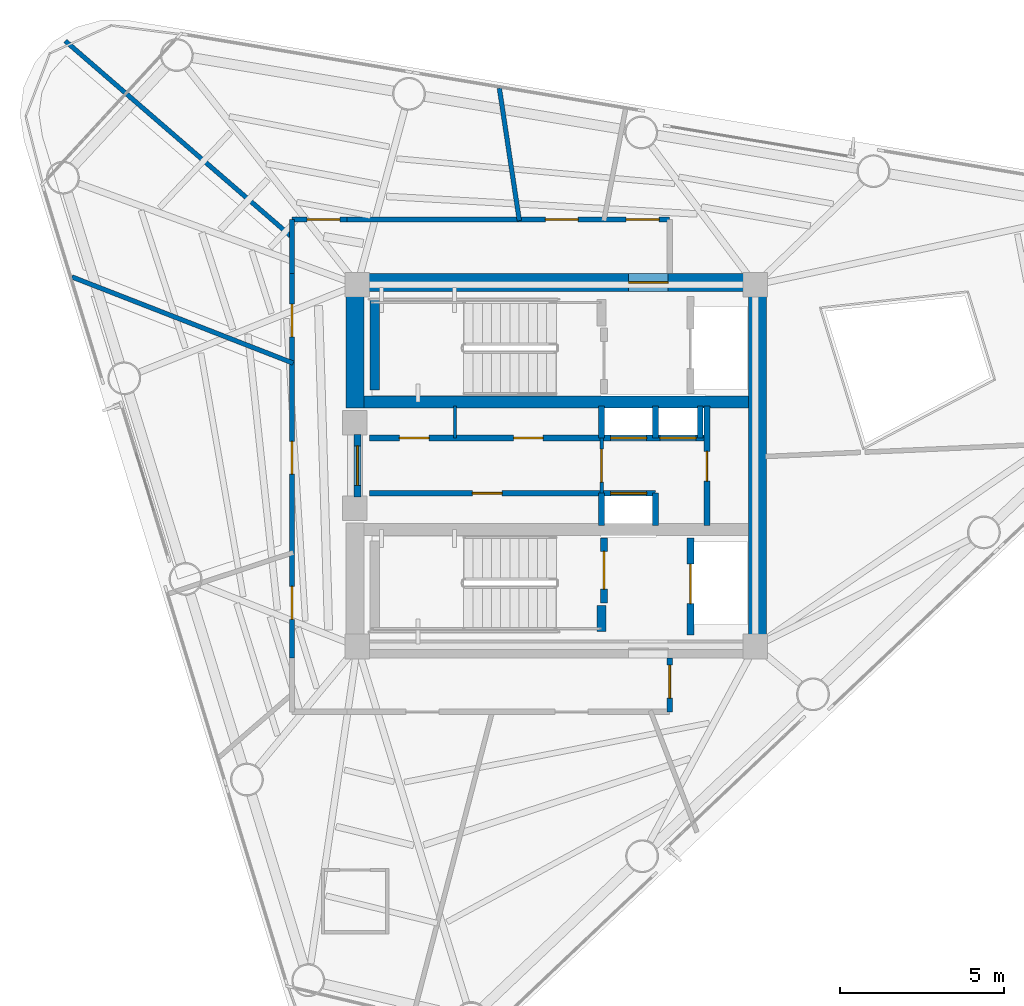
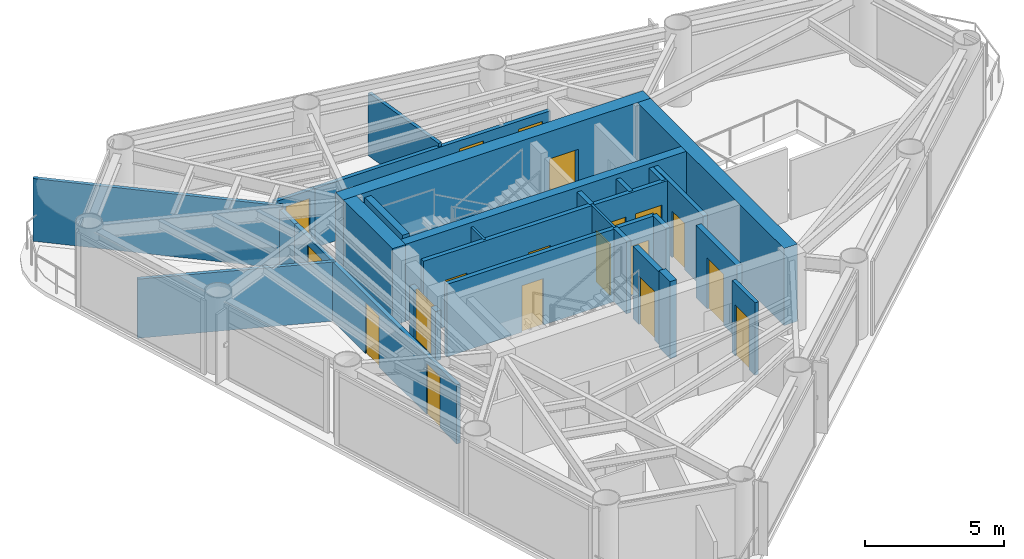
# One storey, part 5 of 8: 27 walls, 19 doors, 19 openings.
"""IFC4 building model written with IfcOpenShell, lengths in metres."""

from ifc_helpers import new_model, si_unit, direction, frame, frame_2d, origin, place, context, subcontext, project, spatial, rectangle, extrude, material, layer, layer_set, type_object, element, fill, save


model = new_model("IFC4")

# Units and contexts
model_context = context("Model", 3, precision=1e-05, world=origin(), true_north=direction((0.0, 1.0)))
body_context = subcontext(model_context, "Body", "Model", "MODEL_VIEW")
ifc_project = project(units=[si_unit("LENGTHUNIT", "METRE"), si_unit("AREAUNIT", "SQUARE_METRE"), si_unit("VOLUMEUNIT", "CUBIC_METRE"), si_unit("PLANEANGLEUNIT", "RADIAN"), si_unit("MASSUNIT", "GRAM", prefix="KILO")], contexts=[model_context])

# Site, building, storey
site_placement = place(None, origin())
site = spatial("IfcSite", under=ifc_project, at=site_placement, CompositionType="ELEMENT")
building_placement = place(site_placement, origin())
building = spatial("IfcBuilding", under=site, at=building_placement, Name="Yunling Apex Tower", CompositionType="ELEMENT")
storey_placement = place(building_placement, frame((0.0, 0.0, 238.85009765625)))
storey = spatial("IfcBuildingStorey", under=building, at=storey_placement, Name="L58", CompositionType="ELEMENT", Elevation=238.85009765625)

# Wall, opening, door
ifc_material_1 = material(Name="Concrete C40", Category="concrete")
ifc_layer_1 = layer(ifc_material_1, 0.550048828125)
ifc_layer_set_1 = layer_set([ifc_layer_1], Name="Concrete C40")
wall_type_1 = type_object("IfcWallType", Name="WL-COR-3", PredefinedType="SHEAR", material=ifc_layer_set_1)
wall_1_placement = place(storey_placement, frame((-6.39990234375, 5.574951171875, 0.0), z_axis=(0.0, 0.0, 1.0), x_axis=(1.0, 0.0, 0.0)))
wall_1 = element("IfcWall", 1, at=wall_1_placement, inside=storey, type_object=wall_type_1, Name="L58 North Core Shear Wall", PredefinedType="SHEAR", context=body_context, shape_type="SweptSolid", body=[
    extrude(rectangle(XDim=12.7998046875, YDim=0.550048828125, at=frame_2d((6.39990234375, 0.0))), origin(), (0.0, 0.0, 1.0), 3.39990234375),
])
opening_1_placement = place(wall_1_placement, frame((8.60009765625, 0.0, 0.0)))
opening_1 = element("IfcOpeningElement", 2, at=opening_1_placement, cuts=wall_1, Name="Opening DR-FFL-1", PredefinedType="OPENING", context=body_context, shape_type="SweptSolid", body=[
    extrude(rectangle(XDim=1.199951171875, YDim=2.199951171875, at=frame_2d((0.60009765625, 1.10009765625))), frame((0.0, 0.28515625, 0.0), z_axis=(0.0, -1.0, 0.0), x_axis=(1.0, 0.0, 0.0)), (0.0, 0.0, 1.0), 0.570068359375),
])
ifc_material_2 = material(Name="Steel Q355B", Category="steel")
door_type_1 = type_object("IfcDoorType", Name="DR-FFL-1", OperationType="NOTDEFINED", PredefinedType="DOOR", material=ifc_material_2)
door_1_placement = place(opening_1_placement, origin())
door_1 = element("IfcDoor", 3, at=door_1_placement, inside=storey, type_object=door_type_1, Name="L58 North Firefighting Lobby Door", OperationType="SINGLE_SWING_LEFT", OverallHeight=2.199951171875, OverallWidth=1.199951171875, PredefinedType="DOOR", context=body_context, shape_type="SweptSolid", body=[
    extrude(rectangle(XDim=1.199951171875, YDim=2.199951171875, at=frame_2d((0.60009765625, 1.10009765625))), frame((0.0, 0.02490234375, 0.0), z_axis=(0.0, -1.0, 0.0), x_axis=(1.0, 0.0, 0.0)), (0.0, 0.0, 1.0), 0.050048828125),
])
fill(opening_1, door_1)

# Walls
wall_2_placement = place(storey_placement, frame((6.125, -5.300048828125, 0.0), z_axis=(0.0, 0.0, 1.0), x_axis=(0.0, 1.0, 0.0)))
element("IfcWall", 4, at=wall_2_placement, inside=storey, type_object=wall_type_1, Name="L58 East Core Shear Wall", PredefinedType="SHEAR", context=body_context, shape_type="SweptSolid", body=[
    extrude(rectangle(XDim=10.60009765625, YDim=0.550048828125, at=frame_2d((5.300048828125, 0.0))), origin(), (0.0, 0.0, 1.0), 3.39990234375),
])
wall_3_placement = place(storey_placement, frame((-6.125, 1.75, 0.0), z_axis=(0.0, 0.0, 1.0), x_axis=(0.0, 1.0, 0.0)))
element("IfcWall", 5, at=wall_3_placement, inside=storey, type_object=wall_type_1, Name="L58 West-North Core Shear Wall", PredefinedType="SHEAR", context=body_context, shape_type="SweptSolid", body=[
    extrude(rectangle(XDim=3.550048828125, YDim=0.550048828125, at=frame_2d((1.77490234375, 0.0))), origin(), (0.0, 0.0, 1.0), 3.39990234375),
])
ifc_layer_2 = layer(ifc_material_1, 0.360107421875)
ifc_layer_set_2 = layer_set([ifc_layer_2], Name="Concrete C40")
wall_type_2 = type_object("IfcWallType", Name="WL-COR-4", PredefinedType="SHEAR", material=ifc_layer_set_2)
wall_4_placement = place(storey_placement, frame((-5.85009765625, 1.93994140625, 0.0), z_axis=(0.0, 0.0, 1.0), x_axis=(1.0, 0.0, 0.0)))
element("IfcWall", 6, at=wall_4_placement, inside=storey, type_object=wall_type_2, Name="L58 North Internal Core Shear Wall", PredefinedType="SHEAR", context=body_context, shape_type="SweptSolid", body=[
    extrude(rectangle(XDim=11.7001953125, YDim=0.360107421875, at=frame_2d((5.85009765625, 0.0))), origin(), (0.0, 0.0, 1.0), 3.39990234375),
])
ifc_layer_3 = layer(ifc_material_1, 0.280029296875)
ifc_layer_set_3 = layer_set([ifc_layer_3], Name="Concrete C40")
wall_type_3 = type_object("IfcWallType", Name="WL-COR-8", PredefinedType="SHEAR", material=ifc_layer_set_3)
wall_5_placement = place(storey_placement, frame((-5.52001953125, 2.300048828125, 0.0), z_axis=(0.0, 0.0, 1.0), x_axis=(0.0, 1.0, 0.0)))
element("IfcWall", 7, at=wall_5_placement, inside=storey, type_object=wall_type_3, Name="L58 ST-1 West Landing Bearing Wall", PredefinedType="SHEAR", context=body_context, shape_type="SweptSolid", body=[
    extrude(rectangle(XDim=2.75, YDim=0.280029296875, at=frame_2d((1.375, 0.0))), origin(), (0.0, 0.0, 1.0), 3.39990234375),
])
wall_6_placement = place(storey_placement, frame((1.3798828125, -5.050048828125, 0.0), z_axis=(0.0, 0.0, 1.0), x_axis=(0.0, 1.0, 0.0)))
element("IfcWall", 8, at=wall_6_placement, inside=storey, type_object=wall_type_3, Name="L58 ST-2 East Landing Bearing Pier", PredefinedType="SHEAR", context=body_context, shape_type="SweptSolid", body=[
    extrude(rectangle(XDim=0.800048828125, YDim=0.280029296875, at=frame_2d((0.39990234375, 0.0))), origin(), (0.0, 0.0, 1.0), 3.39990234375),
])
ifc_material_3 = material(Name="Gypsum board acoustic partition")
ifc_layer_4 = layer(ifc_material_3, 0.159912109375)
ifc_layer_set_4 = layer_set([ifc_layer_4], Name="Gypsum board acoustic partition")
wall_type_4 = type_object("IfcWallType", Name="WL-PRT-1", PredefinedType="PARTITIONING", material=ifc_layer_set_4)
wall_7_placement = place(storey_placement, frame((-8.0400390625, 5.85009765625, 0.0), z_axis=(0.0, 0.0, 1.0), x_axis=(0.0, 1.0, 0.0)))
element("IfcWall", 9, at=wall_7_placement, inside=storey, type_object=wall_type_4, Name="WL-CORR-L58-01", PredefinedType="PARTITIONING", context=body_context, shape_type="SweptSolid", body=[
    extrude(rectangle(XDim=1.639892578125, YDim=0.159912109375, at=frame_2d((0.81982421875, 0.0))), origin(), (0.0, 0.0, 1.0), 2.60498046875),
])

# Wall, opening, door
wall_8_placement = place(storey_placement, frame((-8.0400390625, 7.489990234375, 0.0), z_axis=(0.0, 0.0, 1.0), x_axis=(1.0, 0.0, 0.0)))
wall_8 = element("IfcWall", 10, at=wall_8_placement, inside=storey, type_object=wall_type_4, Name="WL-CORR-L58-02", PredefinedType="PARTITIONING", context=body_context, shape_type="SweptSolid", body=[
    extrude(rectangle(XDim=1.679931640625, YDim=0.159912109375, at=frame_2d((0.83984375, 0.0))), origin(), (0.0, 0.0, 1.0), 2.60498046875),
])
opening_2_placement = place(wall_8_placement, frame((0.4599609375, 0.0, 0.0)))
opening_2 = element("IfcOpeningElement", 11, at=opening_2_placement, cuts=wall_8, Name="Opening DR-OFF-1", PredefinedType="OPENING", context=body_context, shape_type="SweptSolid", body=[
    extrude(rectangle(XDim=1.0, YDim=2.25, at=frame_2d((0.5, 1.125))), frame((0.0, 0.08984375, 0.0), z_axis=(0.0, -1.0, 0.0), x_axis=(1.0, 0.0, 0.0)), (0.0, 0.0, 1.0), 0.179931640625),
])
ifc_material_4 = material(Name="Bronze anodised aluminium", Category="aluminium")
door_type_2 = type_object("IfcDoorType", Name="DR-OFF-1", OperationType="NOTDEFINED", PredefinedType="DOOR", material=ifc_material_4)
door_2_placement = place(opening_2_placement, origin())
door_2 = element("IfcDoor", 12, at=door_2_placement, inside=storey, type_object=door_type_2, Name="L58 Private Dining Kitchen Door", OperationType="SINGLE_SWING_LEFT", OverallHeight=2.25, OverallWidth=1.0, PredefinedType="DOOR", context=body_context, shape_type="SweptSolid", body=[
    extrude(rectangle(XDim=1.0, YDim=2.25, at=frame_2d((0.5, 1.125))), frame((0.0, 0.02490234375, 0.0), z_axis=(0.0, -1.0, 0.0), x_axis=(1.0, 0.0, 0.0)), (0.0, 0.0, 1.0), 0.050048828125),
])
fill(opening_2, door_2)

# Wall, openings, doors
wall_9_placement = place(storey_placement, frame((-6.360107421875, 7.489990234375, 0.0), z_axis=(0.0, 0.0, 1.0), x_axis=(1.0, 0.0, 0.0)))
wall_9 = element("IfcWall", 13, at=wall_9_placement, inside=storey, type_object=wall_type_4, Name="WL-CORR-L58-03", PredefinedType="PARTITIONING", context=body_context, shape_type="SweptSolid", body=[
    extrude(rectangle(XDim=9.81005859375, YDim=0.159912109375, at=frame_2d((4.905029296875, 0.0))), origin(), (0.0, 0.0, 1.0), 2.60498046875),
])
opening_3_placement = place(wall_9_placement, frame((6.025146484375, 0.0, 0.0)))
opening_3 = element("IfcOpeningElement", 14, at=opening_3_placement, cuts=wall_9, Name="Opening DR-OFF-1", PredefinedType="OPENING", context=body_context, shape_type="SweptSolid", body=[
    extrude(rectangle(XDim=1.0, YDim=2.25, at=frame_2d((0.5, 1.125))), frame((0.0, 0.08984375, 0.0), z_axis=(0.0, -1.0, 0.0), x_axis=(1.0, 0.0, 0.0)), (0.0, 0.0, 1.0), 0.179931640625),
])
opening_4_placement = place(wall_9_placement, frame((8.4873046875, 0.0, 0.0)))
opening_4 = element("IfcOpeningElement", 15, at=opening_4_placement, cuts=wall_9, Name="Opening DR-OFF-1", PredefinedType="OPENING", context=body_context, shape_type="SweptSolid", body=[
    extrude(rectangle(XDim=1.0, YDim=2.25, at=frame_2d((0.5, 1.125))), frame((0.0, 0.08984375, 0.0), z_axis=(0.0, -1.0, 0.0), x_axis=(1.0, 0.0, 0.0)), (0.0, 0.0, 1.0), 0.179931640625),
])
door_3_placement = place(opening_3_placement, origin())
door_3 = element("IfcDoor", 16, at=door_3_placement, inside=storey, type_object=door_type_2, Name="L58 Parcel Archive Store Door", OperationType="SINGLE_SWING_RIGHT", OverallHeight=2.25, OverallWidth=1.0, PredefinedType="DOOR", context=body_context, shape_type="SweptSolid", body=[
    extrude(rectangle(XDim=1.0, YDim=2.25, at=frame_2d((0.5, 1.125))), frame((0.0, 0.02490234375, 0.0), z_axis=(0.0, -1.0, 0.0), x_axis=(1.0, 0.0, 0.0)), (0.0, 0.0, 1.0), 0.050048828125),
])
fill(opening_3, door_3)
door_4_placement = place(opening_4_placement, origin())
door_4 = element("IfcDoor", 17, at=door_4_placement, inside=storey, type_object=door_type_2, Name="L58 Private Dining Kitchen Door", OperationType="SINGLE_SWING_LEFT", OverallHeight=2.25, OverallWidth=1.0, PredefinedType="DOOR", context=body_context, shape_type="SweptSolid", body=[
    extrude(rectangle(XDim=1.0, YDim=2.25, at=frame_2d((0.5, 1.125))), frame((0.0, 0.02490234375, 0.0), z_axis=(0.0, -1.0, 0.0), x_axis=(1.0, 0.0, 0.0)), (0.0, 0.0, 1.0), 0.050048828125),
])
fill(opening_4, door_4)

# Wall, opening, door
wall_10_placement = place(storey_placement, frame((3.449951171875, -5.85009765625, 0.0), z_axis=(0.0, 0.0, 1.0), x_axis=(0.0, -1.0, 0.0)))
wall_10 = element("IfcWall", 18, at=wall_10_placement, inside=storey, type_object=wall_type_4, Name="WL-CORR-L58-05", PredefinedType="PARTITIONING", context=body_context, shape_type="SweptSolid", body=[
    extrude(rectangle(XDim=1.639892578125, YDim=0.159912109375, at=frame_2d((0.81982421875, 0.0))), origin(), (0.0, 0.0, 1.0), 3.199951171875),
])
opening_5_placement = place(wall_10_placement, frame((0.219970703125, 0.0, 0.0)))
opening_5 = element("IfcOpeningElement", 19, at=opening_5_placement, cuts=wall_10, Name="Opening DR-OFF-1", PredefinedType="OPENING", context=body_context, shape_type="SweptSolid", body=[
    extrude(rectangle(XDim=1.0, YDim=2.25, at=frame_2d((0.5, 1.125))), frame((0.0, 0.08984375, 0.0), z_axis=(0.0, -1.0, 0.0), x_axis=(1.0, 0.0, 0.0)), (0.0, 0.0, 1.0), 0.179931640625),
])
door_5_placement = place(opening_5_placement, origin())
door_5 = element("IfcDoor", 20, at=door_5_placement, inside=storey, type_object=door_type_2, Name="L58 Parcel Archive Store Door", OperationType="SINGLE_SWING_RIGHT", OverallHeight=2.25, OverallWidth=1.0, PredefinedType="DOOR", context=body_context, shape_type="SweptSolid", body=[
    extrude(rectangle(XDim=1.0, YDim=2.25, at=frame_2d((0.5, 1.125))), frame((0.0, 0.02490234375, 0.0), z_axis=(0.0, -1.0, 0.0), x_axis=(1.0, 0.0, 0.0)), (0.0, 0.0, 1.0), 0.050048828125),
])
fill(opening_5, door_5)

# Wall, openings, doors
wall_11_placement = place(storey_placement, frame((-8.0400390625, -5.85009765625, 0.0), z_axis=(0.0, 0.0, 1.0), x_axis=(0.0, 1.0, 0.0)))
wall_11 = element("IfcWall", 21, at=wall_11_placement, inside=storey, type_object=wall_type_4, Name="WL-CORR-L58-09", PredefinedType="PARTITIONING", context=body_context, shape_type="SweptSolid", body=[
    extrude(rectangle(XDim=11.7001953125, YDim=0.159912109375, at=frame_2d((5.85009765625, 0.0))), origin(), (0.0, 0.0, 1.0), 2.60498046875),
])
opening_6_placement = place(wall_11_placement, frame((1.17529296875, 0.0, 0.0)))
opening_6 = element("IfcOpeningElement", 22, at=opening_6_placement, cuts=wall_11, Name="Opening DR-OFF-1", PredefinedType="OPENING", context=body_context, shape_type="SweptSolid", body=[
    extrude(rectangle(XDim=1.0, YDim=2.25, at=frame_2d((0.5, 1.125))), frame((0.0, 0.08984375, 0.0), z_axis=(0.0, -1.0, 0.0), x_axis=(1.0, 0.0, 0.0)), (0.0, 0.0, 1.0), 0.179931640625),
])
opening_7_placement = place(wall_11_placement, frame((5.58984375, 0.0, 0.0)))
opening_7 = element("IfcOpeningElement", 23, at=opening_7_placement, cuts=wall_11, Name="Opening DR-OFF-1", PredefinedType="OPENING", context=body_context, shape_type="SweptSolid", body=[
    extrude(rectangle(XDim=1.0, YDim=2.25, at=frame_2d((0.5, 1.125))), frame((0.0, 0.08984375, 0.0), z_axis=(0.0, -1.0, 0.0), x_axis=(1.0, 0.0, 0.0)), (0.0, 0.0, 1.0), 0.179931640625),
])
opening_8_placement = place(wall_11_placement, frame((9.765625, 0.0, 0.0)))
opening_8 = element("IfcOpeningElement", 24, at=opening_8_placement, cuts=wall_11, Name="Opening DR-OFF-1", PredefinedType="OPENING", context=body_context, shape_type="SweptSolid", body=[
    extrude(rectangle(XDim=1.0, YDim=2.25, at=frame_2d((0.5, 1.125))), frame((0.0, 0.08984375, 0.0), z_axis=(0.0, -1.0, 0.0), x_axis=(1.0, 0.0, 0.0)), (0.0, 0.0, 1.0), 0.179931640625),
])
door_6_placement = place(opening_6_placement, origin())
door_6 = element("IfcDoor", 25, at=door_6_placement, inside=storey, type_object=door_type_2, Name="L58 Private Dining Kitchen Door", OperationType="SINGLE_SWING_LEFT", OverallHeight=2.25, OverallWidth=1.0, PredefinedType="DOOR", context=body_context, shape_type="SweptSolid", body=[
    extrude(rectangle(XDim=1.0, YDim=2.25, at=frame_2d((0.5, 1.125))), frame((0.0, 0.02490234375, 0.0), z_axis=(0.0, -1.0, 0.0), x_axis=(1.0, 0.0, 0.0)), (0.0, 0.0, 1.0), 0.050048828125),
])
fill(opening_6, door_6)
door_7_placement = place(opening_7_placement, origin())
door_7 = element("IfcDoor", 26, at=door_7_placement, inside=storey, type_object=door_type_2, Name="L58 Private Dining Kitchen Door", OperationType="SINGLE_SWING_RIGHT", OverallHeight=2.25, OverallWidth=1.0, PredefinedType="DOOR", context=body_context, shape_type="SweptSolid", body=[
    extrude(rectangle(XDim=1.0, YDim=2.25, at=frame_2d((0.5, 1.125))), frame((0.0, 0.02490234375, 0.0), z_axis=(0.0, -1.0, 0.0), x_axis=(1.0, 0.0, 0.0)), (0.0, 0.0, 1.0), 0.050048828125),
])
fill(opening_7, door_7)
door_8_placement = place(opening_8_placement, origin())
door_8 = element("IfcDoor", 27, at=door_8_placement, inside=storey, type_object=door_type_2, Name="L58 Parcel Archive Store Door", OperationType="SINGLE_SWING_LEFT", OverallHeight=2.25, OverallWidth=1.0, PredefinedType="DOOR", context=body_context, shape_type="SweptSolid", body=[
    extrude(rectangle(XDim=1.0, YDim=2.25, at=frame_2d((0.5, 1.125))), frame((0.0, 0.02490234375, 0.0), z_axis=(0.0, -1.0, 0.0), x_axis=(1.0, 0.0, 0.0)), (0.0, 0.0, 1.0), 0.050048828125),
])
fill(opening_8, door_8)

# Walls
ifc_layer_5 = layer(ifc_material_3, 0.139892578125)
ifc_layer_set_5 = layer_set([ifc_layer_5], Name="Gypsum board acoustic partition")
wall_type_5 = type_object("IfcWallType", Name="WL-PRT-2", PredefinedType="PARTITIONING", material=ifc_layer_set_5)
wall_12_placement = place(storey_placement, frame((-1.122802734375, 7.449951171875, 0.0), z_axis=(0.0, 0.0, 1.0), x_axis=(-0.149063767164, 0.988827585234, 0.0)))
element("IfcWall", 28, at=wall_12_placement, inside=storey, type_object=wall_type_5, Name="WL-RAD-L58-04", PredefinedType="PARTITIONING", context=body_context, shape_type="SweptSolid", body=[
    extrude(rectangle(XDim=4.07666015625, YDim=0.139892578125, at=frame_2d((2.038330078125, 0.0))), origin(), (0.0, 0.0, 1.0), 2.764892578125),
])
wall_13_placement = place(storey_placement, frame((-8.0, 6.91943359375, 0.0), z_axis=(0.0, 0.0, 1.0), x_axis=(-0.756353912554, 0.654162639535, 0.0)))
element("IfcWall", 29, at=wall_13_placement, inside=storey, type_object=wall_type_5, Name="WL-RAD-L58-05", PredefinedType="PARTITIONING", context=body_context, shape_type="SweptSolid", body=[
    extrude(rectangle(XDim=9.166748046875, YDim=0.139892578125, at=frame_2d((4.58349609375, 0.0))), origin(), (0.0, 0.0, 1.0), 2.764892578125),
])
wall_14_placement = place(storey_placement, frame((-8.0, 3.11669921875, 0.0), z_axis=(0.0, 0.0, 1.0), x_axis=(-0.931773681271, 0.363039676744, 0.0)))
element("IfcWall", 30, at=wall_14_placement, inside=storey, type_object=wall_type_5, Name="WL-RAD-L58-06", PredefinedType="PARTITIONING", context=body_context, shape_type="SweptSolid", body=[
    extrude(rectangle(XDim=7.225830078125, YDim=0.139892578125, at=frame_2d((3.61279296875, 0.0))), origin(), (0.0, 0.0, 1.0), 2.60498046875),
])

# Wall, opening, door
ifc_layer_6 = layer(ifc_material_3, 0.10009765625)
ifc_layer_set_6 = layer_set([ifc_layer_6], Name="Gypsum board acoustic partition")
wall_type_6 = type_object("IfcWallType", Name="WL-PRT-4", PredefinedType="PARTITIONING", material=ifc_layer_set_6)
wall_15_placement = place(storey_placement, frame((1.3798828125, -0.840087890625, 0.0), z_axis=(0.0, 0.0, 1.0), x_axis=(0.0, 1.0, 0.0)))
wall_15 = element("IfcWall", 31, at=wall_15_placement, inside=storey, type_object=wall_type_6, Name="WL-LOB-MID-L58", PredefinedType="PARTITIONING", context=body_context, shape_type="SweptSolid", body=[
    extrude(rectangle(XDim=1.68017578125, YDim=0.10009765625, at=frame_2d((0.840087890625, 0.0))), origin(), (0.0, 0.0, 1.0), 3.199951171875),
])
opening_9_placement = place(wall_15_placement, frame((0.340087890625, 0.0, 0.0)))
opening_9 = element("IfcOpeningElement", 32, at=opening_9_placement, cuts=wall_15, Name="Opening DR-OFF-1", PredefinedType="OPENING", context=body_context, shape_type="SweptSolid", body=[
    extrude(rectangle(XDim=1.0, YDim=2.25, at=frame_2d((0.5, 1.125))), frame((0.0, 0.06005859375, 0.0), z_axis=(0.0, -1.0, 0.0), x_axis=(1.0, 0.0, 0.0)), (0.0, 0.0, 1.0), 0.1201171875),
])
door_9_placement = place(opening_9_placement, origin())
door_9 = element("IfcDoor", 33, at=door_9_placement, inside=storey, type_object=door_type_2, Name="L58 Core Lobby Link Door", OperationType="SINGLE_SWING_LEFT", OverallHeight=2.25, OverallWidth=1.0, PredefinedType="DOOR", context=body_context, shape_type="SweptSolid", body=[
    extrude(rectangle(XDim=1.0, YDim=2.25, at=frame_2d((0.5, 1.125))), frame((0.0, 0.02490234375, 0.0), z_axis=(0.0, -1.0, 0.0), x_axis=(1.0, 0.0, 0.0)), (0.0, 0.0, 1.0), 0.050048828125),
])
fill(opening_9, door_9)

# Wall
wall_16_placement = place(storey_placement, frame((-3.080078125, 0.840087890625, 0.0), z_axis=(0.0, 0.0, 1.0), x_axis=(0.0, 1.0, 0.0)))
element("IfcWall", 34, at=wall_16_placement, inside=storey, type_object=wall_type_6, Name="WL-RECLMB-N-L58", PredefinedType="PARTITIONING", context=body_context, shape_type="SweptSolid", body=[
    extrude(rectangle(XDim=0.97998046875, YDim=0.10009765625, at=frame_2d((0.489990234375, 0.0))), origin(), (0.0, 0.0, 1.0), 3.199951171875),
])

# Wall, opening, door
ifc_material_5 = material(Name="Autoclaved aerated concrete masonry", Category="masonry")
ifc_layer_7 = layer(ifc_material_5, 0.219970703125)
ifc_layer_set_7 = layer_set([ifc_layer_7], Name="Autoclaved aerated concrete masonry")
wall_type_7 = type_object("IfcWallType", Name="WL-SHF-1", PredefinedType="PLUMBINGWALL", material=ifc_layer_set_7)
wall_17_placement = place(storey_placement, frame((-6.050048828125, -0.949951171875, 0.0), z_axis=(0.0, 0.0, 1.0), x_axis=(0.0, 1.0, 0.0)))
wall_17 = element("IfcWall", 35, at=wall_17_placement, inside=storey, type_object=wall_type_7, Name="WL-COR-WPORT-L58", PredefinedType="PLUMBINGWALL", context=body_context, shape_type="SweptSolid", body=[
    extrude(rectangle(XDim=1.89990234375, YDim=0.219970703125, at=frame_2d((0.949951171875, 0.0))), origin(), (0.0, 0.0, 1.0), 2.179931640625),
])
opening_10_placement = place(wall_17_placement, frame((0.35009765625, 0.0, 0.0)))
opening_10 = element("IfcOpeningElement", 36, at=opening_10_placement, cuts=wall_17, Name="Opening DR-FFL-1", PredefinedType="OPENING", context=body_context, shape_type="SweptSolid", body=[
    extrude(rectangle(XDim=1.199951171875, YDim=2.199951171875, at=frame_2d((0.60009765625, 1.10009765625))), frame((0.0, 0.1201171875, 0.0), z_axis=(0.0, -1.0, 0.0), x_axis=(1.0, 0.0, 0.0)), (0.0, 0.0, 1.0), 0.239990234375),
])
door_10_placement = place(opening_10_placement, origin())
door_10 = element("IfcDoor", 37, at=door_10_placement, inside=storey, type_object=door_type_1, Name="L58 Passenger Lift Lobby Entrance Door", OperationType="SINGLE_SWING_RIGHT", OverallHeight=2.199951171875, OverallWidth=1.199951171875, PredefinedType="DOOR", context=body_context, shape_type="SweptSolid", body=[
    extrude(rectangle(XDim=1.199951171875, YDim=2.199951171875, at=frame_2d((0.60009765625, 1.10009765625))), frame((0.0, 0.02490234375, 0.0), z_axis=(0.0, -1.0, 0.0), x_axis=(1.0, 0.0, 0.0)), (0.0, 0.0, 1.0), 0.050048828125),
])
fill(opening_10, door_10)

wall_18_placement = place(storey_placement, frame((1.449951171875, -4.179931640625, 0.0), z_axis=(0.0, 0.0, 1.0), x_axis=(0.0, 1.0, 0.0)))
wall_18 = element("IfcWall", 38, at=wall_18_placement, inside=storey, type_object=wall_type_7, Name="WL-ST2-E-L58", PredefinedType="PLUMBINGWALL", context=body_context, shape_type="SweptSolid", body=[
    extrude(rectangle(XDim=1.97998046875, YDim=0.219970703125, at=frame_2d((0.989990234375, 0.0))), origin(), (0.0, 0.0, 1.0), 3.199951171875),
])
opening_11_placement = place(wall_18_placement, frame((0.419921875, 0.0, 0.0)))
opening_11 = element("IfcOpeningElement", 39, at=opening_11_placement, cuts=wall_18, Name="Opening DR-ST-1", PredefinedType="OPENING", context=body_context, shape_type="SweptSolid", body=[
    extrude(rectangle(XDim=1.14990234375, YDim=2.14990234375, at=frame_2d((0.574951171875, 1.074951171875))), frame((0.0, 0.1201171875, 0.0), z_axis=(0.0, -1.0, 0.0), x_axis=(1.0, 0.0, 0.0)), (0.0, 0.0, 1.0), 0.239990234375),
])
door_type_3 = type_object("IfcDoorType", Name="DR-ST-1", OperationType="NOTDEFINED", PredefinedType="DOOR", material=ifc_material_2)
door_11_placement = place(opening_11_placement, origin())
door_11 = element("IfcDoor", 40, at=door_11_placement, inside=storey, type_object=door_type_3, Name="L58 Stair ST-2 Fire Door", OperationType="SINGLE_SWING_RIGHT", OverallHeight=2.14990234375, OverallWidth=1.14990234375, PredefinedType="DOOR", context=body_context, shape_type="SweptSolid", body=[
    extrude(rectangle(XDim=1.14990234375, YDim=2.14990234375, at=frame_2d((0.574951171875, 1.074951171875))), frame((0.0, 0.02490234375, 0.0), z_axis=(0.0, -1.0, 0.0), x_axis=(1.0, 0.0, 0.0)), (0.0, 0.0, 1.0), 0.050048828125),
])
fill(opening_11, door_11)

wall_19_placement = place(storey_placement, frame((4.080078125, -5.14990234375, 0.0), z_axis=(0.0, 0.0, 1.0), x_axis=(0.0, 1.0, 0.0)))
wall_19 = element("IfcWall", 41, at=wall_19_placement, inside=storey, type_object=wall_type_7, Name="WL-FFL2-W-L58", PredefinedType="PLUMBINGWALL", context=body_context, shape_type="SweptSolid", body=[
    extrude(rectangle(XDim=2.949951171875, YDim=0.219970703125, at=frame_2d((1.47509765625, 0.0))), origin(), (0.0, 0.0, 1.0), 3.199951171875),
])
opening_12_placement = place(wall_19_placement, frame((0.949951171875, 0.0, 0.0)))
opening_12 = element("IfcOpeningElement", 42, at=opening_12_placement, cuts=wall_19, Name="Opening LD-FFL-1", PredefinedType="OPENING", context=body_context, shape_type="SweptSolid", body=[
    extrude(rectangle(XDim=1.199951171875, YDim=2.25, at=frame_2d((0.60009765625, 1.125))), frame((0.0, 0.1201171875, 0.0), z_axis=(0.0, -1.0, 0.0), x_axis=(1.0, 0.0, 0.0)), (0.0, 0.0, 1.0), 0.239990234375),
])
door_type_4 = type_object("IfcDoorType", Name="LD-FFL-1", OperationType="DOUBLE_DOOR_SLIDING", PredefinedType="DOOR", material=ifc_material_2)
door_12_placement = place(opening_12_placement, origin())
door_12 = element("IfcDoor", 43, at=door_12_placement, inside=storey, type_object=door_type_4, Name="L58 Lift FFL-2 Landing Door", OperationType="DOUBLE_DOOR_SLIDING", OverallHeight=2.25, OverallWidth=1.199951171875, PredefinedType="DOOR", context=body_context, shape_type="SweptSolid", body=[
    extrude(rectangle(XDim=1.199951171875, YDim=2.25, at=frame_2d((0.60009765625, 1.125))), frame((0.0, 0.02490234375, 0.0), z_axis=(0.0, -1.0, 0.0), x_axis=(1.0, 0.0, 0.0)), (0.0, 0.0, 1.0), 0.050048828125),
])
fill(opening_12, door_12)

# Walls
ifc_layer_8 = layer(ifc_material_5, 0.179931640625)
ifc_layer_set_8 = layer_set([ifc_layer_8], Name="Autoclaved aerated concrete masonry")
wall_type_8 = type_object("IfcWallType", Name="WL-SHF-2", PredefinedType="PLUMBINGWALL", material=ifc_layer_set_8)
for number, where, z_axis, x_axis, name in (
    (44, (1.3798828125, 0.840087890625, 0.0), (0.0, 0.0, 1.0), (0.0, 1.0, 0.0), "WL-BNK-MH-N-L58"),
    (45, (1.3798828125, -1.820068359375, 0.0), (0.0, 0.0, 1.0), (0.0, 1.0, 0.0), "WL-BNK-MH-S-L58"),
    (46, (3.02001953125, 0.840087890625, 0.0), (0.0, 0.0, 1.0), (0.0, 1.0, 0.0), "WL-DIV-H13-L58"),
    (47, (4.3798828125, 0.840087890625, 0.0), (0.0, 0.0, 1.0), (0.0, 1.0, 0.0), "WL-END-H3E-L58"),
    (48, (3.02001953125, -1.820068359375, 0.0), (0.0, 0.0, 1.0), (0.0, 1.0, 0.0), "WL-END-H2E-L58"),
):
    element("IfcWall", number, at=place(storey_placement, frame(where, z_axis=z_axis, x_axis=x_axis)), inside=storey, type_object=wall_type_8, Name=name, PredefinedType="PLUMBINGWALL", context=body_context, shape_type="SweptSolid", body=[
        extrude(rectangle(XDim=0.97998046875, YDim=0.179931640625, at=frame_2d((0.489990234375, 0.0))), origin(), (0.0, 0.0, 1.0), 3.199951171875),
    ])

# Wall, opening, door
wall_20_placement = place(storey_placement, frame((4.580078125, -1.820068359375, 0.0), z_axis=(0.0, 0.0, 1.0), x_axis=(0.0, 1.0, 0.0)))
wall_20 = element("IfcWall", 49, at=wall_20_placement, inside=storey, type_object=wall_type_8, Name="WL-KBE-W-L58", PredefinedType="PLUMBINGWALL", context=body_context, shape_type="SweptSolid", body=[
    extrude(rectangle(XDim=3.64013671875, YDim=0.179931640625, at=frame_2d((1.820068359375, 0.0))), origin(), (0.0, 0.0, 1.0), 3.199951171875),
])
opening_13_placement = place(wall_20_placement, frame((1.35009765625, 0.0, 0.0)))
opening_13 = element("IfcOpeningElement", 50, at=opening_13_placement, cuts=wall_20, Name="Opening DR-SHF-1", PredefinedType="OPENING", context=body_context, shape_type="SweptSolid", body=[
    extrude(rectangle(XDim=0.89990234375, YDim=2.050048828125, at=frame_2d((0.449951171875, 1.02490234375))), frame((0.0, 0.10009765625, 0.0), z_axis=(0.0, -1.0, 0.0), x_axis=(1.0, 0.0, 0.0)), (0.0, 0.0, 1.0), 0.199951171875),
])
door_type_5 = type_object("IfcDoorType", Name="DR-SHF-1", OperationType="NOTDEFINED", PredefinedType="DOOR", material=ifc_material_2)
door_13_placement = place(opening_13_placement, origin())
door_13 = element("IfcDoor", 51, at=door_13_placement, inside=storey, type_object=door_type_5, Name="L58 Core Meter Room Door", OperationType="SINGLE_SWING_RIGHT", OverallHeight=2.050048828125, OverallWidth=0.89990234375, PredefinedType="DOOR", context=body_context, shape_type="SweptSolid", body=[
    extrude(rectangle(XDim=0.89990234375, YDim=2.050048828125, at=frame_2d((0.449951171875, 1.02490234375))), frame((0.0, 0.02490234375, 0.0), z_axis=(0.0, -1.0, 0.0), x_axis=(1.0, 0.0, 0.0)), (0.0, 0.0, 1.0), 0.050048828125),
])
fill(opening_13, door_13)

# Wall, openings, doors
wall_21_placement = place(storey_placement, frame((-5.679931640625, 0.840087890625, 0.0), z_axis=(0.0, 0.0, 1.0), x_axis=(1.0, 0.0, 0.0)))
wall_21 = element("IfcWall", 52, at=wall_21_placement, inside=storey, type_object=wall_type_8, Name="WL-LOB-N-L58", PredefinedType="PLUMBINGWALL", context=body_context, shape_type="SweptSolid", body=[
    extrude(rectangle(XDim=10.260009765625, YDim=0.179931640625, at=frame_2d((5.1298828125, 0.0))), origin(), (0.0, 0.0, 1.0), 3.199951171875),
])
opening_14_placement = place(wall_21_placement, frame((0.909912109375, 0.0, 0.0)))
opening_14 = element("IfcOpeningElement", 53, at=opening_14_placement, cuts=wall_21, Name="Opening DR-SHF-1", PredefinedType="OPENING", context=body_context, shape_type="SweptSolid", body=[
    extrude(rectangle(XDim=0.89990234375, YDim=2.050048828125, at=frame_2d((0.449951171875, 1.02490234375))), frame((0.0, 0.10009765625, 0.0), z_axis=(0.0, -1.0, 0.0), x_axis=(1.0, 0.0, 0.0)), (0.0, 0.0, 1.0), 0.199951171875),
])
opening_15_placement = place(wall_21_placement, frame((4.3798828125, 0.0, 0.0)))
opening_15 = element("IfcOpeningElement", 54, at=opening_15_placement, cuts=wall_21, Name="Opening DR-SHF-1", PredefinedType="OPENING", context=body_context, shape_type="SweptSolid", body=[
    extrude(rectangle(XDim=0.89990234375, YDim=2.050048828125, at=frame_2d((0.449951171875, 1.02490234375))), frame((0.0, 0.10009765625, 0.0), z_axis=(0.0, -1.0, 0.0), x_axis=(1.0, 0.0, 0.0)), (0.0, 0.0, 1.0), 0.199951171875),
])
opening_16_placement = place(wall_21_placement, frame((7.330078125, 0.0, 0.0)))
opening_16 = element("IfcOpeningElement", 55, at=opening_16_placement, cuts=wall_21, Name="Opening LD-PAS-1", PredefinedType="OPENING", context=body_context, shape_type="SweptSolid", body=[
    extrude(rectangle(XDim=1.10009765625, YDim=2.199951171875, at=frame_2d((0.550048828125, 1.10009765625))), frame((0.0, 0.10009765625, 0.0), z_axis=(0.0, -1.0, 0.0), x_axis=(1.0, 0.0, 0.0)), (0.0, 0.0, 1.0), 0.199951171875),
])
opening_17_placement = place(wall_21_placement, frame((8.830078125, 0.0, 0.0)))
opening_17 = element("IfcOpeningElement", 56, at=opening_17_placement, cuts=wall_21, Name="Opening LD-PAS-1", PredefinedType="OPENING", context=body_context, shape_type="SweptSolid", body=[
    extrude(rectangle(XDim=1.10009765625, YDim=2.199951171875, at=frame_2d((0.550048828125, 1.10009765625))), frame((0.0, 0.10009765625, 0.0), z_axis=(0.0, -1.0, 0.0), x_axis=(1.0, 0.0, 0.0)), (0.0, 0.0, 1.0), 0.199951171875),
])
door_14_placement = place(opening_14_placement, origin())
door_14 = element("IfcDoor", 57, at=door_14_placement, inside=storey, type_object=door_type_5, Name="L58 Switchgear Plant Door", OperationType="SINGLE_SWING_LEFT", OverallHeight=2.050048828125, OverallWidth=0.89990234375, PredefinedType="DOOR", context=body_context, shape_type="SweptSolid", body=[
    extrude(rectangle(XDim=0.89990234375, YDim=2.050048828125, at=frame_2d((0.449951171875, 1.02490234375))), frame((0.0, 0.02490234375, 0.0), z_axis=(0.0, -1.0, 0.0), x_axis=(1.0, 0.0, 0.0)), (0.0, 0.0, 1.0), 0.050048828125),
])
fill(opening_14, door_14)
door_15_placement = place(opening_15_placement, origin())
door_15 = element("IfcDoor", 58, at=door_15_placement, inside=storey, type_object=door_type_5, Name="L58 Valet Storage Door", OperationType="SINGLE_SWING_RIGHT", OverallHeight=2.050048828125, OverallWidth=0.89990234375, PredefinedType="DOOR", context=body_context, shape_type="SweptSolid", body=[
    extrude(rectangle(XDim=0.89990234375, YDim=2.050048828125, at=frame_2d((0.449951171875, 1.02490234375))), frame((0.0, 0.02490234375, 0.0), z_axis=(0.0, -1.0, 0.0), x_axis=(1.0, 0.0, 0.0)), (0.0, 0.0, 1.0), 0.050048828125),
])
fill(opening_15, door_15)
ifc_material_6 = material(Name="Silver anodised aluminium", Category="aluminium")
door_type_6 = type_object("IfcDoorType", Name="LD-PAS-1", OperationType="DOUBLE_DOOR_SLIDING", PredefinedType="DOOR", material=ifc_material_6)
door_16_placement = place(opening_16_placement, origin())
door_16 = element("IfcDoor", 59, at=door_16_placement, inside=storey, type_object=door_type_6, Name="L58 Lift PL-H1 Landing Door", OperationType="DOUBLE_DOOR_SLIDING", OverallHeight=2.199951171875, OverallWidth=1.10009765625, PredefinedType="DOOR", context=body_context, shape_type="SweptSolid", body=[
    extrude(rectangle(XDim=1.10009765625, YDim=2.199951171875, at=frame_2d((0.550048828125, 1.10009765625))), frame((0.0, 0.02490234375, 0.0), z_axis=(0.0, -1.0, 0.0), x_axis=(1.0, 0.0, 0.0)), (0.0, 0.0, 1.0), 0.050048828125),
])
fill(opening_16, door_16)
door_17_placement = place(opening_17_placement, origin())
door_17 = element("IfcDoor", 60, at=door_17_placement, inside=storey, type_object=door_type_6, Name="L58 Lift PL-H3 Landing Door", OperationType="DOUBLE_DOOR_SLIDING", OverallHeight=2.199951171875, OverallWidth=1.10009765625, PredefinedType="DOOR", context=body_context, shape_type="SweptSolid", body=[
    extrude(rectangle(XDim=1.10009765625, YDim=2.199951171875, at=frame_2d((0.550048828125, 1.10009765625))), frame((0.0, 0.02490234375, 0.0), z_axis=(0.0, -1.0, 0.0), x_axis=(1.0, 0.0, 0.0)), (0.0, 0.0, 1.0), 0.050048828125),
])
fill(opening_17, door_17)

wall_22_placement = place(storey_placement, frame((-5.679931640625, -0.840087890625, 0.0), z_axis=(0.0, 0.0, 1.0), x_axis=(1.0, 0.0, 0.0)))
wall_22 = element("IfcWall", 61, at=wall_22_placement, inside=storey, type_object=wall_type_8, Name="WL-LOB-S-L58", PredefinedType="PLUMBINGWALL", context=body_context, shape_type="SweptSolid", body=[
    extrude(rectangle(XDim=8.699951171875, YDim=0.179931640625, at=frame_2d((4.35009765625, 0.0))), origin(), (0.0, 0.0, 1.0), 3.199951171875),
])
opening_18_placement = place(wall_22_placement, frame((3.1298828125, 0.0, 0.0)))
opening_18 = element("IfcOpeningElement", 62, at=opening_18_placement, cuts=wall_22, Name="Opening DR-SHF-1", PredefinedType="OPENING", context=body_context, shape_type="SweptSolid", body=[
    extrude(rectangle(XDim=0.89990234375, YDim=2.050048828125, at=frame_2d((0.449951171875, 1.02490234375))), frame((0.0, 0.10009765625, 0.0), z_axis=(0.0, -1.0, 0.0), x_axis=(1.0, 0.0, 0.0)), (0.0, 0.0, 1.0), 0.199951171875),
])
opening_19_placement = place(wall_22_placement, frame((7.330078125, 0.0, 0.0)))
opening_19 = element("IfcOpeningElement", 63, at=opening_19_placement, cuts=wall_22, Name="Opening LD-PAS-1", PredefinedType="OPENING", context=body_context, shape_type="SweptSolid", body=[
    extrude(rectangle(XDim=1.10009765625, YDim=2.199951171875, at=frame_2d((0.550048828125, 1.10009765625))), frame((0.0, 0.10009765625, 0.0), z_axis=(0.0, -1.0, 0.0), x_axis=(1.0, 0.0, 0.0)), (0.0, 0.0, 1.0), 0.199951171875),
])
door_18_placement = place(opening_18_placement, origin())
door_18 = element("IfcDoor", 64, at=door_18_placement, inside=storey, type_object=door_type_5, Name="L58 BMS Plant Door", OperationType="SINGLE_SWING_LEFT", OverallHeight=2.050048828125, OverallWidth=0.89990234375, PredefinedType="DOOR", context=body_context, shape_type="SweptSolid", body=[
    extrude(rectangle(XDim=0.89990234375, YDim=2.050048828125, at=frame_2d((0.449951171875, 1.02490234375))), frame((0.0, 0.02490234375, 0.0), z_axis=(0.0, -1.0, 0.0), x_axis=(1.0, 0.0, 0.0)), (0.0, 0.0, 1.0), 0.050048828125),
])
fill(opening_18, door_18)
door_19_placement = place(opening_19_placement, origin())
door_19 = element("IfcDoor", 65, at=door_19_placement, inside=storey, type_object=door_type_6, Name="L58 Lift PL-H2 Landing Door", OperationType="DOUBLE_DOOR_SLIDING", OverallHeight=2.199951171875, OverallWidth=1.10009765625, PredefinedType="DOOR", context=body_context, shape_type="SweptSolid", body=[
    extrude(rectangle(XDim=1.10009765625, YDim=2.199951171875, at=frame_2d((0.550048828125, 1.10009765625))), frame((0.0, 0.02490234375, 0.0), z_axis=(0.0, -1.0, 0.0), x_axis=(1.0, 0.0, 0.0)), (0.0, 0.0, 1.0), 0.050048828125),
])
fill(opening_19, door_19)

save(model, "model.ifc")
